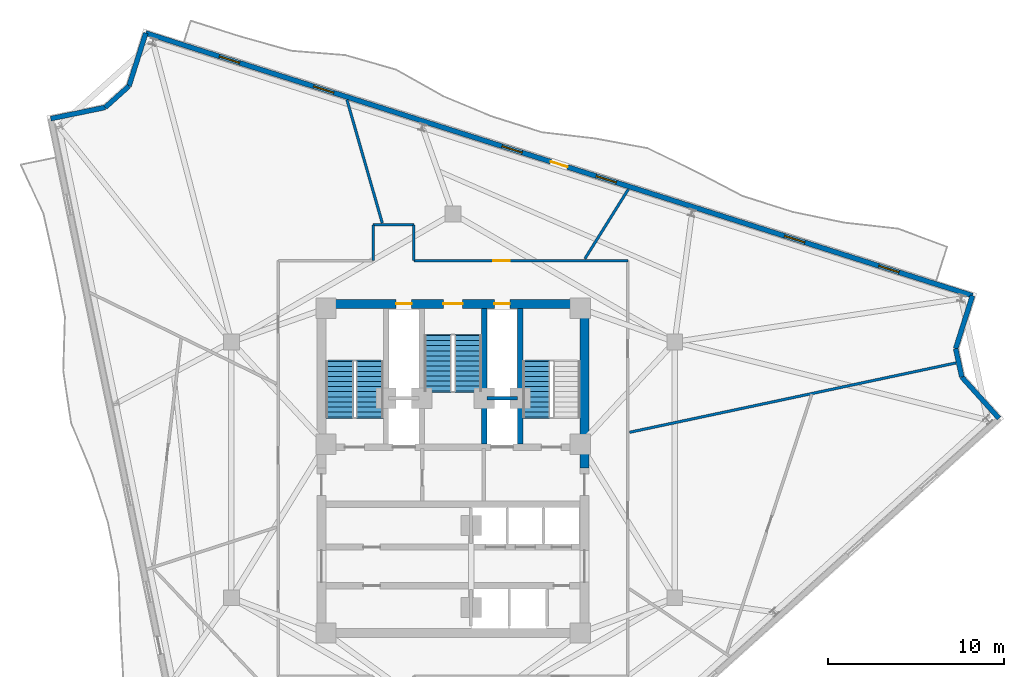
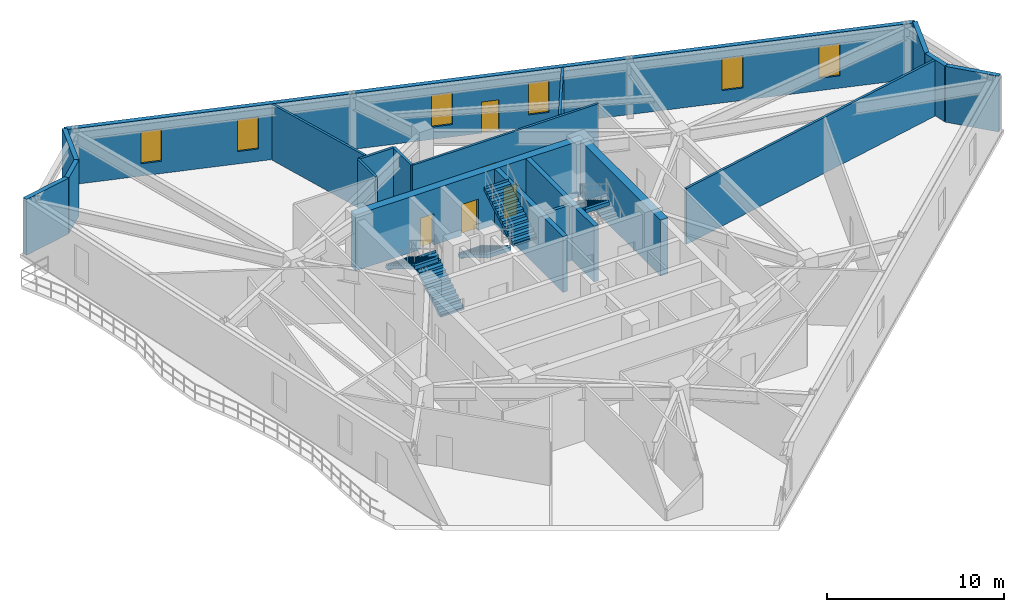
# One storey, part 7 of 11: 19 walls, 6 windows, 5 doors, 5 stair flights, 11 openings, 3 elements without a shape of their own.
"""IFC4 building model written with IfcOpenShell, lengths in metres."""

from ifc_helpers import new_model, si_unit, direction, frame, frame_2d, origin, place, context, subcontext, project, spatial, polyline, rectangle, outline, extrude, material, layer, layer_set, type_object, element, fill, aggregate, save


model = new_model("IFC4")

# Units and contexts
model_context = context("Model", 3, precision=1e-05, world=origin(), true_north=direction((0.0, 1.0)))
body_context = subcontext(model_context, "Body", "Model", "MODEL_VIEW")
ifc_project = project(units=[si_unit("LENGTHUNIT", "METRE"), si_unit("AREAUNIT", "SQUARE_METRE"), si_unit("VOLUMEUNIT", "CUBIC_METRE"), si_unit("PLANEANGLEUNIT", "RADIAN"), si_unit("MASSUNIT", "GRAM", prefix="KILO")], contexts=[model_context])

# Site, building, storey
site_placement = place(None, origin())
site = spatial("IfcSite", under=ifc_project, at=site_placement, CompositionType="ELEMENT")
building_placement = place(site_placement, origin())
building = spatial("IfcBuilding", under=site, at=building_placement, Name="Apsidion Concourse Tower", CompositionType="ELEMENT")
storey_placement = place(building_placement, frame((0.0, 0.0, 252.699951171875)))
storey = spatial("IfcBuildingStorey", under=building, at=storey_placement, Name="L59", CompositionType="ELEMENT", Elevation=252.699951171875)

# Wall, openings, door, windows
ifc_material_1 = material(Name="Precast concrete C40/50", Category="concrete")
ifc_layer_1 = layer(ifc_material_1, 0.280029296875)
ifc_layer_set_1 = layer_set([ifc_layer_1], Name="Precast concrete C40/50")
wall_type_1 = type_object("IfcWallType", Name="WL-EXT-280", PredefinedType="STANDARD", material=ifc_layer_set_1)
wall_1_placement = place(storey_placement, frame((-17.4072265625, 24.74755859375, 0.0), z_axis=(0.0, 0.0, 1.0), x_axis=(0.953082756031, -0.302709861346, 0.0)))
wall_1 = element("IfcWall", 1, at=wall_1_placement, inside=storey, type_object=wall_type_1, Name="L59 Precast Stone Facade Wall 01", PredefinedType="STANDARD", context=body_context, shape_type="SweptSolid", body=[
    extrude(rectangle(XDim=49.14501953125, YDim=0.280029296875, at=frame_2d((24.572509765625, 0.0))), origin(), (0.0, 0.0, 1.0), 3.85009765625),
])
opening_1_placement = place(wall_1_placement, frame((24.072509765625, 0.0, 0.0)))
opening_1 = element("IfcOpeningElement", 2, at=opening_1_placement, cuts=wall_1, Name="Opening D-T1R", PredefinedType="OPENING", context=body_context, shape_type="SweptSolid", body=[
    extrude(rectangle(XDim=1.0, YDim=2.14990234375, at=frame_2d((0.5, 1.074951171875))), frame((0.0, 0.14990234375, 0.0), z_axis=(0.0, -1.0, 0.0), x_axis=(1.0, 0.0, 0.0)), (0.0, 0.0, 1.0), 0.300048828125),
])
opening_2_placement = place(wall_1_placement, frame((4.37255859375, 0.0, 0.85009765625)))
opening_2 = element("IfcOpeningElement", 3, at=opening_2_placement, cuts=wall_1, Name="Opening WN-06", PredefinedType="OPENING", context=body_context, shape_type="SweptSolid", body=[
    extrude(rectangle(XDim=1.199951171875, YDim=2.199951171875, at=frame_2d((0.60009765625, 1.10009765625))), frame((0.0, 0.14990234375, 0.0), z_axis=(0.0, -1.0, 0.0), x_axis=(1.0, 0.0, 0.0)), (0.0, 0.0, 1.0), 0.300048828125),
])
opening_3_placement = place(wall_1_placement, frame((9.97265625, 0.0, 0.85009765625)))
opening_3 = element("IfcOpeningElement", 4, at=opening_3_placement, cuts=wall_1, Name="Opening WN-06", PredefinedType="OPENING", context=body_context, shape_type="SweptSolid", body=[
    extrude(rectangle(XDim=1.199951171875, YDim=2.199951171875, at=frame_2d((0.60009765625, 1.10009765625))), frame((0.0, 0.14990234375, 0.0), z_axis=(0.0, -1.0, 0.0), x_axis=(1.0, 0.0, 0.0)), (0.0, 0.0, 1.0), 0.300048828125),
])
opening_4_placement = place(wall_1_placement, frame((21.172607421875, 0.0, 0.85009765625)))
opening_4 = element("IfcOpeningElement", 5, at=opening_4_placement, cuts=wall_1, Name="Opening WN-06", PredefinedType="OPENING", context=body_context, shape_type="SweptSolid", body=[
    extrude(rectangle(XDim=1.199951171875, YDim=2.199951171875, at=frame_2d((0.60009765625, 1.10009765625))), frame((0.0, 0.14990234375, 0.0), z_axis=(0.0, -1.0, 0.0), x_axis=(1.0, 0.0, 0.0)), (0.0, 0.0, 1.0), 0.300048828125),
])
opening_5_placement = place(wall_1_placement, frame((26.772705078125, 0.0, 0.85009765625)))
opening_5 = element("IfcOpeningElement", 6, at=opening_5_placement, cuts=wall_1, Name="Opening WN-06", PredefinedType="OPENING", context=body_context, shape_type="SweptSolid", body=[
    extrude(rectangle(XDim=1.199951171875, YDim=2.199951171875, at=frame_2d((0.60009765625, 1.10009765625))), frame((0.0, 0.14990234375, 0.0), z_axis=(0.0, -1.0, 0.0), x_axis=(1.0, 0.0, 0.0)), (0.0, 0.0, 1.0), 0.300048828125),
])
opening_6_placement = place(wall_1_placement, frame((37.97265625, 0.0, 0.85009765625)))
opening_6 = element("IfcOpeningElement", 7, at=opening_6_placement, cuts=wall_1, Name="Opening WN-06", PredefinedType="OPENING", context=body_context, shape_type="SweptSolid", body=[
    extrude(rectangle(XDim=1.199951171875, YDim=2.199951171875, at=frame_2d((0.60009765625, 1.10009765625))), frame((0.0, 0.14990234375, 0.0), z_axis=(0.0, -1.0, 0.0), x_axis=(1.0, 0.0, 0.0)), (0.0, 0.0, 1.0), 0.300048828125),
])
opening_7_placement = place(wall_1_placement, frame((43.572509765625, 0.0, 0.85009765625)))
opening_7 = element("IfcOpeningElement", 8, at=opening_7_placement, cuts=wall_1, Name="Opening WN-06", PredefinedType="OPENING", context=body_context, shape_type="SweptSolid", body=[
    extrude(rectangle(XDim=1.199951171875, YDim=2.199951171875, at=frame_2d((0.60009765625, 1.10009765625))), frame((0.0, 0.14990234375, 0.0), z_axis=(0.0, -1.0, 0.0), x_axis=(1.0, 0.0, 0.0)), (0.0, 0.0, 1.0), 0.300048828125),
])
ifc_material_2 = material(Name="Anodised aluminium EN AW-6063 T6", Category="aluminium")
door_type_1 = type_object("IfcDoorType", Name="DR-TER-1022R", OperationType="SINGLE_SWING_RIGHT", PredefinedType="DOOR", material=ifc_material_2)
door_1_placement = place(opening_1_placement, origin())
door_1 = element("IfcDoor", 9, at=door_1_placement, inside=storey, type_object=door_type_1, Name="L59 Balcony Access Door 1", OperationType="SINGLE_SWING_RIGHT", OverallHeight=2.14990234375, OverallWidth=1.0, PredefinedType="DOOR", context=body_context, shape_type="SweptSolid", body=[
    extrude(rectangle(XDim=1.0, YDim=2.14990234375, at=frame_2d((0.5, 1.074951171875))), frame((0.0, 0.02490234375, 0.0), z_axis=(0.0, -1.0, 0.0), x_axis=(1.0, 0.0, 0.0)), (0.0, 0.0, 1.0), 0.050048828125),
])
fill(opening_1, door_1)
ifc_material_3 = material(Name="Insulated laminated low-E glass", Category="glass")
window_type = type_object("IfcWindowType", Name="WN-OFF-1224", PartitioningType="SINGLE_PANEL", PredefinedType="WINDOW", material=ifc_material_3)
window_1_placement = place(opening_2_placement, origin())
window_1 = element("IfcWindow", 10, at=window_1_placement, inside=storey, type_object=window_type, Name="L59 Punched Facade Window 1-01", OverallHeight=2.199951171875, OverallWidth=1.199951171875, PartitioningType="SINGLE_PANEL", PredefinedType="WINDOW", context=body_context, shape_type="SweptSolid", body=[
    extrude(rectangle(XDim=1.199951171875, YDim=2.199951171875, at=frame_2d((0.60009765625, 1.10009765625))), frame((0.0, 0.030029296875, 0.0), z_axis=(0.0, -1.0, 0.0), x_axis=(1.0, 0.0, 0.0)), (0.0, 0.0, 1.0), 0.06005859375),
])
fill(opening_2, window_1)
window_2_placement = place(opening_3_placement, origin())
window_2 = element("IfcWindow", 11, at=window_2_placement, inside=storey, type_object=window_type, Name="L59 Punched Facade Window 1-02", OverallHeight=2.199951171875, OverallWidth=1.199951171875, PartitioningType="SINGLE_PANEL", PredefinedType="WINDOW", context=body_context, shape_type="SweptSolid", body=[
    extrude(rectangle(XDim=1.199951171875, YDim=2.199951171875, at=frame_2d((0.60009765625, 1.10009765625))), frame((0.0, 0.030029296875, 0.0), z_axis=(0.0, -1.0, 0.0), x_axis=(1.0, 0.0, 0.0)), (0.0, 0.0, 1.0), 0.06005859375),
])
fill(opening_3, window_2)
window_3_placement = place(opening_4_placement, origin())
window_3 = element("IfcWindow", 12, at=window_3_placement, inside=storey, type_object=window_type, Name="L59 Punched Facade Window 1-04", OverallHeight=2.199951171875, OverallWidth=1.199951171875, PartitioningType="SINGLE_PANEL", PredefinedType="WINDOW", context=body_context, shape_type="SweptSolid", body=[
    extrude(rectangle(XDim=1.199951171875, YDim=2.199951171875, at=frame_2d((0.60009765625, 1.10009765625))), frame((0.0, 0.030029296875, 0.0), z_axis=(0.0, -1.0, 0.0), x_axis=(1.0, 0.0, 0.0)), (0.0, 0.0, 1.0), 0.06005859375),
])
fill(opening_4, window_3)
window_4_placement = place(opening_5_placement, origin())
window_4 = element("IfcWindow", 13, at=window_4_placement, inside=storey, type_object=window_type, Name="L59 Punched Facade Window 1-05", OverallHeight=2.199951171875, OverallWidth=1.199951171875, PartitioningType="SINGLE_PANEL", PredefinedType="WINDOW", context=body_context, shape_type="SweptSolid", body=[
    extrude(rectangle(XDim=1.199951171875, YDim=2.199951171875, at=frame_2d((0.60009765625, 1.10009765625))), frame((0.0, 0.030029296875, 0.0), z_axis=(0.0, -1.0, 0.0), x_axis=(1.0, 0.0, 0.0)), (0.0, 0.0, 1.0), 0.06005859375),
])
fill(opening_5, window_4)
window_5_placement = place(opening_6_placement, origin())
window_5 = element("IfcWindow", 14, at=window_5_placement, inside=storey, type_object=window_type, Name="L59 Punched Facade Window 1-07", OverallHeight=2.199951171875, OverallWidth=1.199951171875, PartitioningType="SINGLE_PANEL", PredefinedType="WINDOW", context=body_context, shape_type="SweptSolid", body=[
    extrude(rectangle(XDim=1.199951171875, YDim=2.199951171875, at=frame_2d((0.60009765625, 1.10009765625))), frame((0.0, 0.030029296875, 0.0), z_axis=(0.0, -1.0, 0.0), x_axis=(1.0, 0.0, 0.0)), (0.0, 0.0, 1.0), 0.06005859375),
])
fill(opening_6, window_5)
window_6_placement = place(opening_7_placement, origin())
window_6 = element("IfcWindow", 15, at=window_6_placement, inside=storey, type_object=window_type, Name="L59 Punched Facade Window 1-08", OverallHeight=2.199951171875, OverallWidth=1.199951171875, PartitioningType="SINGLE_PANEL", PredefinedType="WINDOW", context=body_context, shape_type="SweptSolid", body=[
    extrude(rectangle(XDim=1.199951171875, YDim=2.199951171875, at=frame_2d((0.60009765625, 1.10009765625))), frame((0.0, 0.030029296875, 0.0), z_axis=(0.0, -1.0, 0.0), x_axis=(1.0, 0.0, 0.0)), (0.0, 0.0, 1.0), 0.06005859375),
])
fill(opening_7, window_6)

# Walls
wall_2_placement = place(storey_placement, frame((29.43212890625, 9.870849609375, 0.0), z_axis=(0.0, 0.0, 1.0), x_axis=(-0.30264059672, -0.953104752489, 0.0)))
element("IfcWall", 16, at=wall_2_placement, inside=storey, type_object=wall_type_1, Name="L59 Precast Stone Facade Wall 02", PredefinedType="STANDARD", context=body_context, shape_type="SweptSolid", body=[
    extrude(rectangle(XDim=3.150146484375, YDim=0.280029296875, at=frame_2d((1.5751953125, 0.0))), origin(), (0.0, 0.0, 1.0), 3.85009765625),
])
wall_3_placement = place(storey_placement, frame((28.478759765625, 6.868408203125, 0.0), z_axis=(0.0, 0.0, 1.0), x_axis=(0.211126358094, -0.977458777094, 0.0)))
element("IfcWall", 17, at=wall_3_placement, inside=storey, type_object=wall_type_1, Name="L59 Precast Stone Facade Wall 03", PredefinedType="STANDARD", context=body_context, shape_type="SweptSolid", body=[
    extrude(rectangle(XDim=1.64892578125, YDim=0.280029296875, at=frame_2d((0.824462890625, 0.0))), origin(), (0.0, 0.0, 1.0), 3.85009765625),
])
wall_4_placement = place(storey_placement, frame((28.826904296875, 5.256591796875, 0.0), z_axis=(0.0, 0.0, 1.0), x_axis=(0.669127439782, -0.743147676663, 0.0)))
element("IfcWall", 18, at=wall_4_placement, inside=storey, type_object=wall_type_1, Name="L59 Precast Stone Facade Wall 04", PredefinedType="STANDARD", context=body_context, shape_type="SweptSolid", body=[
    extrude(rectangle(XDim=3.14990234375, YDim=0.280029296875, at=frame_2d((1.574951171875, 0.0))), origin(), (0.0, 0.0, 1.0), 3.85009765625),
])
wall_5_placement = place(storey_placement, frame((-22.79248046875, 19.898681640625, 0.0), z_axis=(0.0, 0.0, 1.0), x_axis=(0.979502474011, 0.201432131016, 0.0)))
element("IfcWall", 19, at=wall_5_placement, inside=storey, type_object=wall_type_1, Name="L59 Precast Stone Facade Wall 10", PredefinedType="STANDARD", context=body_context, shape_type="SweptSolid", body=[
    extrude(rectangle(XDim=3.1513671875, YDim=0.280029296875, at=frame_2d((1.57568359375, 0.0))), origin(), (0.0, 0.0, 1.0), 3.85009765625),
])
wall_6_placement = place(storey_placement, frame((-19.705810546875, 20.533447265625, 0.0), z_axis=(0.0, 0.0, 1.0), x_axis=(0.743173371482, 0.669098901449, 0.0)))
element("IfcWall", 20, at=wall_6_placement, inside=storey, type_object=wall_type_1, Name="L59 Precast Stone Facade Wall 11", PredefinedType="STANDARD", context=body_context, shape_type="SweptSolid", body=[
    extrude(rectangle(XDim=1.809326171875, YDim=0.280029296875, at=frame_2d((0.90478515625, 0.0))), origin(), (0.0, 0.0, 1.0), 3.85009765625),
])
wall_7_placement = place(storey_placement, frame((-18.361083984375, 21.744140625, 0.0), z_axis=(0.0, 0.0, 1.0), x_axis=(0.302691963624, 0.953088440365, 0.0)))
element("IfcWall", 21, at=wall_7_placement, inside=storey, type_object=wall_type_1, Name="L59 Precast Stone Facade Wall 12", PredefinedType="STANDARD", context=body_context, shape_type="SweptSolid", body=[
    extrude(rectangle(XDim=3.1513671875, YDim=0.280029296875, at=frame_2d((1.57568359375, 0.0))), origin(), (0.0, 0.0, 1.0), 3.85009765625),
])
ifc_material_4 = material(Name="Gypsum plasterboard partition")
ifc_layer_2 = layer(ifc_material_4, 0.14990234375)
ifc_layer_set_2 = layer_set([ifc_layer_2], Name="Gypsum plasterboard partition")
wall_type_2 = type_object("IfcWallType", Name="WL-INT-PAR-150", PredefinedType="PARTITIONING", material=ifc_layer_set_2)
wall_8_placement = place(storey_placement, frame((-4.530029296875, 11.85009765625, 0.0), z_axis=(0.0, 0.0, 1.0), x_axis=(0.0, 1.0, 0.0)))
element("IfcWall", 22, at=wall_8_placement, inside=storey, type_object=wall_type_2, Name="L59 Interior Partition WL-L59-CORR-04", PredefinedType="PARTITIONING", context=body_context, shape_type="SweptSolid", body=[
    extrude(rectangle(XDim=2.02978515625, YDim=0.14990234375, at=frame_2d((1.014892578125, 0.0))), origin(), (0.0, 0.0, 1.0), 3.85009765625),
])
wall_9_placement = place(storey_placement, frame((-4.530029296875, 13.8798828125, 0.0), z_axis=(0.0, 0.0, 1.0), x_axis=(1.0, 0.0, 0.0)))
element("IfcWall", 23, at=wall_9_placement, inside=storey, type_object=wall_type_2, Name="L59 Interior Partition WL-L59-CORR-05", PredefinedType="PARTITIONING", context=body_context, shape_type="SweptSolid", body=[
    extrude(rectangle(XDim=2.31005859375, YDim=0.14990234375, at=frame_2d((1.155029296875, 0.0))), origin(), (0.0, 0.0, 1.0), 3.85009765625),
])
wall_10_placement = place(storey_placement, frame((-2.219970703125, 13.8798828125, 0.0), z_axis=(0.0, 0.0, 1.0), x_axis=(0.0, -1.0, 0.0)))
element("IfcWall", 24, at=wall_10_placement, inside=storey, type_object=wall_type_2, Name="L59 Interior Partition WL-L59-CORR-06", PredefinedType="PARTITIONING", context=body_context, shape_type="SweptSolid", body=[
    extrude(rectangle(XDim=2.02978515625, YDim=0.14990234375, at=frame_2d((1.014892578125, 0.0))), origin(), (0.0, 0.0, 1.0), 3.85009765625),
])

# Wall, opening, door
wall_11_placement = place(storey_placement, frame((-2.219970703125, 11.85009765625, 0.0), z_axis=(0.0, 0.0, 1.0), x_axis=(1.0, 0.0, 0.0)))
wall_11 = element("IfcWall", 25, at=wall_11_placement, inside=storey, type_object=wall_type_2, Name="L59 Interior Partition WL-L59-CORR-07", PredefinedType="PARTITIONING", context=body_context, shape_type="SweptSolid", body=[
    extrude(rectangle(XDim=12.119873046875, YDim=0.14990234375, at=frame_2d((6.06005859375, 0.0))), origin(), (0.0, 0.0, 1.0), 3.85009765625),
])
opening_8_placement = place(wall_11_placement, frame((4.492919921875, 0.0, 0.0)))
opening_8 = element("IfcOpeningElement", 26, at=opening_8_placement, cuts=wall_11, Name="Opening D-01R", PredefinedType="OPENING", context=body_context, shape_type="SweptSolid", body=[
    extrude(rectangle(XDim=0.949951171875, YDim=2.14990234375, at=frame_2d((0.47509765625, 1.074951171875))), frame((0.0, 0.0849609375, 0.0), z_axis=(0.0, -1.0, 0.0), x_axis=(1.0, 0.0, 0.0)), (0.0, 0.0, 1.0), 0.169921875),
])
ifc_material_5 = material(Name="Brushed stainless steel 316", Category="steel")
door_type_2 = type_object("IfcDoorType", Name="DR-INT-D01R", OperationType="SINGLE_SWING_RIGHT", PredefinedType="DOOR", material=ifc_material_5)
door_2_placement = place(opening_8_placement, origin())
door_2 = element("IfcDoor", 27, at=door_2_placement, inside=storey, type_object=door_type_2, Name="L59 Corridor Entry Door 06", OperationType="SINGLE_SWING_RIGHT", OverallHeight=2.14990234375, OverallWidth=0.949951171875, PredefinedType="DOOR", context=body_context, shape_type="SweptSolid", body=[
    extrude(rectangle(XDim=0.949951171875, YDim=2.14990234375, at=frame_2d((0.47509765625, 1.074951171875))), frame((0.0, 0.02490234375, 0.0), z_axis=(0.0, -1.0, 0.0), x_axis=(1.0, 0.0, 0.0)), (0.0, 0.0, 1.0), 0.050048828125),
])
fill(opening_8, door_2)

# Walls
wall_12_placement = place(storey_placement, frame((10.0048828125, 2.126708984375, 0.0), z_axis=(0.0, 0.0, 1.0), x_axis=(0.978148641639, 0.207906793682, 0.0)))
element("IfcWall", 28, at=wall_12_placement, inside=storey, type_object=wall_type_2, Name="L59 Interior Partition WL-L59-RAD-01-1", PredefinedType="PARTITIONING", context=body_context, shape_type="SweptSolid", body=[
    extrude(rectangle(XDim=18.903564453125, YDim=0.14990234375, at=frame_2d((9.45166015625, 0.0))), origin(), (0.0, 0.0, 1.0), 3.85009765625),
])
wall_13_placement = place(storey_placement, frame((7.47021484375, 11.955078125, 0.0), z_axis=(0.0, 0.0, 1.0), x_axis=(0.529961203495, 0.848021888155, 0.0)))
element("IfcWall", 29, at=wall_13_placement, inside=storey, type_object=wall_type_2, Name="L59 Interior Partition WL-L59-RAD-02-1", PredefinedType="PARTITIONING", context=body_context, shape_type="SweptSolid", body=[
    extrude(rectangle(XDim=4.65234375, YDim=0.14990234375, at=frame_2d((2.326171875, 0.0))), origin(), (0.0, 0.0, 1.0), 3.85009765625),
])
wall_14_placement = place(storey_placement, frame((-4.010009765625, 13.985107421875, 0.0), z_axis=(0.0, 0.0, 1.0), x_axis=(-0.275649034276, 0.961258347117, 0.0)))
element("IfcWall", 30, at=wall_14_placement, inside=storey, type_object=wall_type_2, Name="L59 Interior Partition WL-L59-RAD-03-1", PredefinedType="PARTITIONING", context=body_context, shape_type="SweptSolid", body=[
    extrude(rectangle(XDim=7.26171875, YDim=0.14990234375, at=frame_2d((3.630859375, 0.0))), origin(), (0.0, 0.0, 1.0), 3.85009765625),
])
ifc_layer_3 = layer(ifc_material_4, 0.199951171875)
ifc_layer_set_3 = layer_set([ifc_layer_3], Name="Gypsum plasterboard partition")
wall_type_3 = type_object("IfcWallType", Name="WL-INT-PAR-200", PredefinedType="PARTITIONING", material=ifc_layer_set_3)
wall_15_placement = place(storey_placement, frame((1.919921875, 4.050048828125, 0.0), z_axis=(0.0, 0.0, 1.0), x_axis=(1.0, 0.0, 0.0)))
element("IfcWall", 31, at=wall_15_placement, inside=storey, type_object=wall_type_3, Name="L59 Interior Partition WL-L59-FF2-N", PredefinedType="PARTITIONING", context=body_context, shape_type="SweptSolid", body=[
    extrude(rectangle(XDim=1.72998046875, YDim=0.199951171875, at=frame_2d((0.864990234375, 0.0))), origin(), (0.0, 0.0, 1.0), 3.85009765625),
])
ifc_material_6 = material(Name="Concrete C50/60", Category="concrete")
ifc_layer_4 = layer(ifc_material_6, 0.300048828125)
ifc_layer_set_4 = layer_set([ifc_layer_4], Name="Concrete C50/60")
wall_type_4 = type_object("IfcWallType", Name="WL-SH-300", PredefinedType="SHEAR", material=ifc_layer_set_4)
for number, where, z_axis, x_axis, name in (
    (32, (1.77490234375, 1.449951171875, 0.0), (0.0, 0.0, 1.0), (0.0, 1.0, 0.0), "L59 Central Core Shear Wall V3"),
    (33, (3.800048828125, 1.449951171875, 0.0), (0.0, 0.0, 1.0), (0.0, 1.0, 0.0), "L59 Central Core Shear Wall V4"),
):
    element("IfcWall", number, at=place(storey_placement, frame(where, z_axis=z_axis, x_axis=x_axis)), inside=storey, type_object=wall_type_4, Name=name, PredefinedType="SHEAR", context=body_context, shape_type="SweptSolid", body=[
        extrude(rectangle(XDim=7.699951171875, YDim=0.300048828125, at=frame_2d((3.85009765625, 0.0))), origin(), (0.0, 0.0, 1.0), 3.85009765625),
    ])

# Wall, openings, doors
ifc_layer_5 = layer(ifc_material_6, 0.5)
ifc_layer_set_5 = layer_set([ifc_layer_5], Name="Concrete C50/60")
wall_type_5 = type_object("IfcWallType", Name="WL-SH-500", PredefinedType="SHEAR", material=ifc_layer_set_5)
wall_16_placement = place(storey_placement, frame((-7.449951171875, 9.39990234375, 0.0), z_axis=(0.0, 0.0, 1.0), x_axis=(1.0, 0.0, 0.0)))
wall_16 = element("IfcWall", 34, at=wall_16_placement, inside=storey, type_object=wall_type_5, Name="L59 Central Core Shear Wall N", PredefinedType="SHEAR", context=body_context, shape_type="SweptSolid", body=[
    extrude(rectangle(XDim=14.89990234375, YDim=0.5, at=frame_2d((7.449951171875, 0.0))), origin(), (0.0, 0.0, 1.0), 3.85009765625),
])
opening_9_placement = place(wall_16_placement, frame((6.89990234375, 0.0, 0.0)))
opening_9 = element("IfcOpeningElement", 35, at=opening_9_placement, cuts=wall_16, Name="Opening D-STL", PredefinedType="OPENING", context=body_context, shape_type="SweptSolid", body=[
    extrude(rectangle(XDim=1.10009765625, YDim=2.14990234375, at=frame_2d((0.550048828125, 1.074951171875))), frame((0.0, 0.260009765625, 0.0), z_axis=(0.0, -1.0, 0.0), x_axis=(1.0, 0.0, 0.0)), (0.0, 0.0, 1.0), 0.52001953125),
])
opening_10_placement = place(wall_16_placement, frame((4.22998046875, 0.0, 0.0)))
opening_10 = element("IfcOpeningElement", 36, at=opening_10_placement, cuts=wall_16, Name="Opening D-05L", PredefinedType="OPENING", context=body_context, shape_type="SweptSolid", body=[
    extrude(rectangle(XDim=0.8798828125, YDim=2.14990234375, at=frame_2d((0.43994140625, 1.074951171875))), frame((0.0, 0.260009765625, 0.0), z_axis=(0.0, -1.0, 0.0), x_axis=(1.0, 0.0, 0.0)), (0.0, 0.0, 1.0), 0.52001953125),
])
opening_11_placement = place(wall_16_placement, frame((9.7900390625, 0.0, 0.0)))
opening_11 = element("IfcOpeningElement", 37, at=opening_11_placement, cuts=wall_16, Name="Opening D-05R", PredefinedType="OPENING", context=body_context, shape_type="SweptSolid", body=[
    extrude(rectangle(XDim=0.8798828125, YDim=2.14990234375, at=frame_2d((0.43994140625, 1.074951171875))), frame((0.0, 0.260009765625, 0.0), z_axis=(0.0, -1.0, 0.0), x_axis=(1.0, 0.0, 0.0)), (0.0, 0.0, 1.0), 0.52001953125),
])
door_type_3 = type_object("IfcDoorType", Name="DR-INT-D05L", OperationType="SINGLE_SWING_LEFT", PredefinedType="DOOR", material=ifc_material_5)
door_3_placement = place(opening_10_placement, origin())
door_3 = element("IfcDoor", 38, at=door_3_placement, inside=storey, type_object=door_type_3, Name="L59 Electrical Riser Shaft Access Door", OperationType="SINGLE_SWING_LEFT", OverallHeight=2.14990234375, OverallWidth=0.8798828125, PredefinedType="DOOR", context=body_context, shape_type="SweptSolid", body=[
    extrude(rectangle(XDim=0.8798828125, YDim=2.14990234375, at=frame_2d((0.43994140625, 1.074951171875))), frame((0.0, 0.02490234375, 0.0), z_axis=(0.0, -1.0, 0.0), x_axis=(1.0, 0.0, 0.0)), (0.0, 0.0, 1.0), 0.050048828125),
])
fill(opening_10, door_3)
door_type_4 = type_object("IfcDoorType", Name="DR-INT-D05R", OperationType="SINGLE_SWING_RIGHT", PredefinedType="DOOR", material=ifc_material_5)
door_4_placement = place(opening_11_placement, origin())
door_4 = element("IfcDoor", 39, at=door_4_placement, inside=storey, type_object=door_type_4, Name="L59 Mechanical Riser Shaft Access Door", OperationType="SINGLE_SWING_RIGHT", OverallHeight=2.14990234375, OverallWidth=0.8798828125, PredefinedType="DOOR", context=body_context, shape_type="SweptSolid", body=[
    extrude(rectangle(XDim=0.8798828125, YDim=2.14990234375, at=frame_2d((0.43994140625, 1.074951171875))), frame((0.0, 0.02490234375, 0.0), z_axis=(0.0, -1.0, 0.0), x_axis=(1.0, 0.0, 0.0)), (0.0, 0.0, 1.0), 0.050048828125),
])
fill(opening_11, door_4)
door_type_5 = type_object("IfcDoorType", Name="DR-INT-ST1L", OperationType="SINGLE_SWING_LEFT", PredefinedType="DOOR", material=ifc_material_5)
door_5_placement = place(opening_9_placement, origin())
door_5 = element("IfcDoor", 40, at=door_5_placement, inside=storey, type_object=door_type_5, Name="L59 Core Exit Stair ST3 Door", OperationType="SINGLE_SWING_LEFT", OverallHeight=2.14990234375, OverallWidth=1.10009765625, PredefinedType="DOOR", context=body_context, shape_type="SweptSolid", body=[
    extrude(rectangle(XDim=1.10009765625, YDim=2.14990234375, at=frame_2d((0.550048828125, 1.074951171875))), frame((0.0, 0.02490234375, 0.0), z_axis=(0.0, -1.0, 0.0), x_axis=(1.0, 0.0, 0.0)), (0.0, 0.0, 1.0), 0.050048828125),
])
fill(opening_9, door_5)

# Wall
wall_17_placement = place(storey_placement, frame((7.449951171875, 0.10009765625, 0.0), z_axis=(0.0, 0.0, 1.0), x_axis=(0.0, 1.0, 0.0)))
element("IfcWall", 41, at=wall_17_placement, inside=storey, type_object=wall_type_5, Name="L59 Central Core Shear Wall EN", PredefinedType="SHEAR", context=body_context, shape_type="SweptSolid", body=[
    extrude(rectangle(XDim=9.0498046875, YDim=0.5, at=frame_2d((4.52490234375, 0.0))), origin(), (0.0, 0.0, 1.0), 3.85009765625),
])

# Stair, stair flights
stair_type = type_object("IfcStairType", Name="ST-DL-1550", PredefinedType="HALF_TURN_STAIR", material=ifc_material_1)
stair_1_placement = place(storey_placement, origin())
stair_1 = element("IfcStair", 42, at=stair_1_placement, inside=storey, type_object=stair_type, Name="L59 Protected Core Exit Stair ST1", PredefinedType="HALF_TURN_STAIR")
stair_flight_type = type_object("IfcStairFlightType", Name="SFL-RC-1550", PredefinedType="STRAIGHT", material=ifc_material_1)
stair_flight_1_placement = place(storey_placement, frame((-4.72509765625, 3.0, 0.0), z_axis=(0.0, 0.0, 1.0), x_axis=(0.0, 1.0, 0.0)))
stair_flight_1 = element("IfcStairFlight", 43, at=stair_flight_1_placement, type_object=stair_flight_type, Name="ST1 flight 1", NumberOfRisers=12, NumberOfTreads=11, PredefinedType="STRAIGHT", RiserHeight=0.170833333, TreadLength=0.285, context=body_context, shape_type="SweptSolid", body=[
    extrude(outline(polyline([(-0.080078125, -0.1123046875), (-0.080078125, 0.0), (0.0, 0.0), (0.0, 0.1708984375), (0.284912109375, 0.1708984375), (0.284912109375, 0.341552734375), (0.570068359375, 0.341552734375), (0.570068359375, 0.512451171875), (0.85498046875, 0.512451171875), (0.85498046875, 0.683349609375), (1.139892578125, 0.683349609375), (1.139892578125, 0.854248046875), (1.425048828125, 0.854248046875), (1.425048828125, 1.02490234375), (1.7099609375, 1.02490234375), (1.7099609375, 1.19580078125), (1.9951171875, 1.19580078125), (1.9951171875, 1.36669921875), (2.280029296875, 1.36669921875), (2.280029296875, 1.53759765625), (2.56494140625, 1.53759765625), (2.56494140625, 1.708251953125), (2.85009765625, 1.708251953125), (2.85009765625, 1.879150390625), (3.135009765625, 1.879150390625), (3.135009765625, 2.050048828125), (3.215087890625, 1.964599609375), (3.215087890625, 1.704345703125), (3.135009765625, 1.704345703125), (0.29150390625, 0.0), (0.29150390625, -0.1123046875), (-0.080078125, -0.1123046875)])), frame((0.0, 0.77490234375, 0.0), z_axis=(0.0, -1.0, 0.0), x_axis=(1.0, 0.0, 0.0)), (0.0, 0.0, 1.0), 1.550048828125),
])
stair_flight_2_placement = place(storey_placement, frame((-6.425048828125, 6.135009765625, 2.050048828125), z_axis=(0.0, 0.0, 1.0), x_axis=(0.0, -1.0, 0.0)))
stair_flight_2 = element("IfcStairFlight", 44, at=stair_flight_2_placement, type_object=stair_flight_type, Name="ST1 flight 2", NumberOfRisers=12, NumberOfTreads=11, PredefinedType="STRAIGHT", RiserHeight=0.170833333, TreadLength=0.285, context=body_context, shape_type="SweptSolid", body=[
    extrude(outline(polyline([(-0.080078125, -0.1123046875), (-0.080078125, 0.0), (0.0, 0.0), (0.0, 0.1708984375), (0.284912109375, 0.1708984375), (0.284912109375, 0.341552734375), (0.570068359375, 0.341552734375), (0.570068359375, 0.512451171875), (0.85498046875, 0.512451171875), (0.85498046875, 0.683349609375), (1.139892578125, 0.683349609375), (1.139892578125, 0.854248046875), (1.425048828125, 0.854248046875), (1.425048828125, 1.02490234375), (1.7099609375, 1.02490234375), (1.7099609375, 1.19580078125), (1.9951171875, 1.19580078125), (1.9951171875, 1.36669921875), (2.280029296875, 1.36669921875), (2.280029296875, 1.53759765625), (2.56494140625, 1.53759765625), (2.56494140625, 1.708251953125), (2.85009765625, 1.708251953125), (2.85009765625, 1.879150390625), (3.135009765625, 1.879150390625), (3.135009765625, 2.050048828125), (3.215087890625, 1.964599609375), (3.215087890625, 1.704345703125), (3.135009765625, 1.704345703125), (0.29150390625, 0.0), (0.29150390625, -0.1123046875), (-0.080078125, -0.1123046875)])), frame((0.0, 0.77490234375, 0.0), z_axis=(0.0, -1.0, 0.0), x_axis=(1.0, 0.0, 0.0)), (0.0, 0.0, 1.0), 1.550048828125),
])
aggregate(stair_1, [stair_flight_1, stair_flight_2])

# Stair, stair flight
stair_2_placement = place(storey_placement, origin())
stair_2 = element("IfcStair", 45, at=stair_2_placement, inside=storey, type_object=stair_type, Name="L59 Protected Core Exit Stair ST2", PredefinedType="HALF_TURN_STAIR")
stair_flight_3_placement = place(storey_placement, frame((4.72509765625, 6.135009765625, 2.050048828125), z_axis=(0.0, 0.0, 1.0), x_axis=(0.0, -1.0, 0.0)))
stair_flight_3 = element("IfcStairFlight", 46, at=stair_flight_3_placement, type_object=stair_flight_type, Name="ST2 flight 2", NumberOfRisers=12, NumberOfTreads=11, PredefinedType="STRAIGHT", RiserHeight=0.170833333, TreadLength=0.285, context=body_context, shape_type="SweptSolid", body=[
    extrude(outline(polyline([(-0.080078125, -0.1123046875), (-0.080078125, 0.0), (0.0, 0.0), (0.0, 0.1708984375), (0.284912109375, 0.1708984375), (0.284912109375, 0.341552734375), (0.570068359375, 0.341552734375), (0.570068359375, 0.512451171875), (0.85498046875, 0.512451171875), (0.85498046875, 0.683349609375), (1.139892578125, 0.683349609375), (1.139892578125, 0.854248046875), (1.425048828125, 0.854248046875), (1.425048828125, 1.02490234375), (1.7099609375, 1.02490234375), (1.7099609375, 1.19580078125), (1.9951171875, 1.19580078125), (1.9951171875, 1.36669921875), (2.280029296875, 1.36669921875), (2.280029296875, 1.53759765625), (2.56494140625, 1.53759765625), (2.56494140625, 1.708251953125), (2.85009765625, 1.708251953125), (2.85009765625, 1.879150390625), (3.135009765625, 1.879150390625), (3.135009765625, 2.050048828125), (3.215087890625, 1.964599609375), (3.215087890625, 1.704345703125), (3.135009765625, 1.704345703125), (0.29150390625, 0.0), (0.29150390625, -0.1123046875), (-0.080078125, -0.1123046875)])), frame((0.0, 0.77490234375, 0.0), z_axis=(0.0, -1.0, 0.0), x_axis=(1.0, 0.0, 0.0)), (0.0, 0.0, 1.0), 1.550048828125),
])
aggregate(stair_2, [stair_flight_3])

# Stair, stair flights
stair_3_placement = place(storey_placement, origin())
stair_3 = element("IfcStair", 47, at=stair_3_placement, inside=storey, type_object=stair_type, Name="L59 Protected Core Exit Stair ST3", PredefinedType="HALF_TURN_STAIR")
stair_flight_4_placement = place(storey_placement, frame((-0.85009765625, 7.60009765625, 0.0), z_axis=(0.0, 0.0, 1.0), x_axis=(0.0, -1.0, 0.0)))
stair_flight_4 = element("IfcStairFlight", 48, at=stair_flight_4_placement, type_object=stair_flight_type, Name="ST3 flight 1", NumberOfRisers=12, NumberOfTreads=11, PredefinedType="STRAIGHT", RiserHeight=0.170833333, TreadLength=0.285, context=body_context, shape_type="SweptSolid", body=[
    extrude(outline(polyline([(-0.080078125, -0.1123046875), (-0.080078125, 0.0), (0.0, 0.0), (0.0, 0.1708984375), (0.284912109375, 0.1708984375), (0.284912109375, 0.341552734375), (0.570068359375, 0.341552734375), (0.570068359375, 0.512451171875), (0.85498046875, 0.512451171875), (0.85498046875, 0.683349609375), (1.139892578125, 0.683349609375), (1.139892578125, 0.854248046875), (1.425048828125, 0.854248046875), (1.425048828125, 1.02490234375), (1.7099609375, 1.02490234375), (1.7099609375, 1.19580078125), (1.9951171875, 1.19580078125), (1.9951171875, 1.36669921875), (2.280029296875, 1.36669921875), (2.280029296875, 1.53759765625), (2.56494140625, 1.53759765625), (2.56494140625, 1.708251953125), (2.85009765625, 1.708251953125), (2.85009765625, 1.879150390625), (3.135009765625, 1.879150390625), (3.135009765625, 2.050048828125), (3.215087890625, 1.964599609375), (3.215087890625, 1.704345703125), (3.135009765625, 1.704345703125), (0.29150390625, 0.0), (0.29150390625, -0.1123046875), (-0.080078125, -0.1123046875)])), frame((0.0, 0.77490234375, 0.0), z_axis=(0.0, -1.0, 0.0), x_axis=(1.0, 0.0, 0.0)), (0.0, 0.0, 1.0), 1.550048828125),
])
stair_flight_5_placement = place(storey_placement, frame((0.85009765625, 4.465087890625, 2.050048828125), z_axis=(0.0, 0.0, 1.0), x_axis=(0.0, 1.0, 0.0)))
stair_flight_5 = element("IfcStairFlight", 49, at=stair_flight_5_placement, type_object=stair_flight_type, Name="ST3 flight 2", NumberOfRisers=12, NumberOfTreads=11, PredefinedType="STRAIGHT", RiserHeight=0.170833333, TreadLength=0.285, context=body_context, shape_type="SweptSolid", body=[
    extrude(outline(polyline([(-0.080078125, -0.1123046875), (-0.080078125, 0.0), (0.0, 0.0), (0.0, 0.1708984375), (0.284912109375, 0.1708984375), (0.284912109375, 0.341552734375), (0.570068359375, 0.341552734375), (0.570068359375, 0.512451171875), (0.85498046875, 0.512451171875), (0.85498046875, 0.683349609375), (1.139892578125, 0.683349609375), (1.139892578125, 0.854248046875), (1.425048828125, 0.854248046875), (1.425048828125, 1.02490234375), (1.7099609375, 1.02490234375), (1.7099609375, 1.19580078125), (1.9951171875, 1.19580078125), (1.9951171875, 1.36669921875), (2.280029296875, 1.36669921875), (2.280029296875, 1.53759765625), (2.56494140625, 1.53759765625), (2.56494140625, 1.708251953125), (2.85009765625, 1.708251953125), (2.85009765625, 1.879150390625), (3.135009765625, 1.879150390625), (3.135009765625, 2.050048828125), (3.215087890625, 1.964599609375), (3.215087890625, 1.704345703125), (3.135009765625, 1.704345703125), (0.29150390625, 0.0), (0.29150390625, -0.1123046875), (-0.080078125, -0.1123046875)])), frame((0.0, 0.77490234375, 0.0), z_axis=(0.0, -1.0, 0.0), x_axis=(1.0, 0.0, 0.0)), (0.0, 0.0, 1.0), 1.550048828125),
])
aggregate(stair_3, [stair_flight_4, stair_flight_5])

save(model, "model.ifc")
